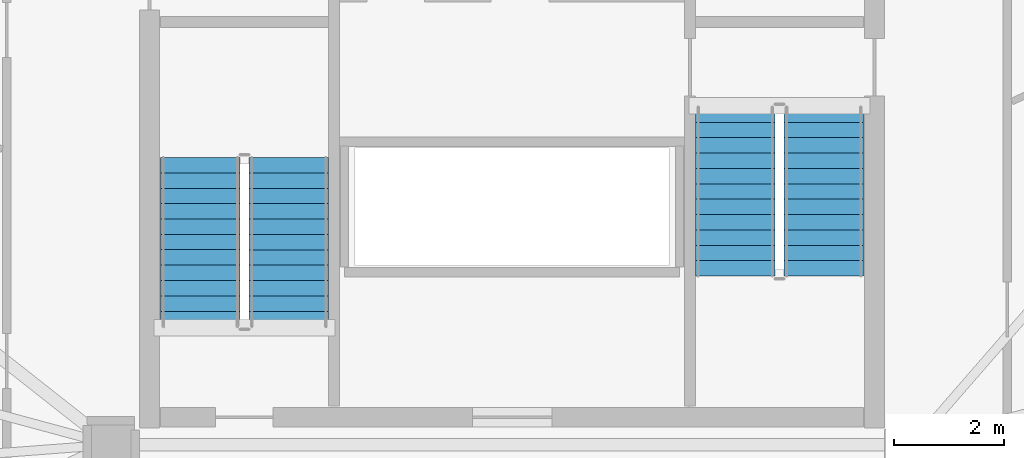
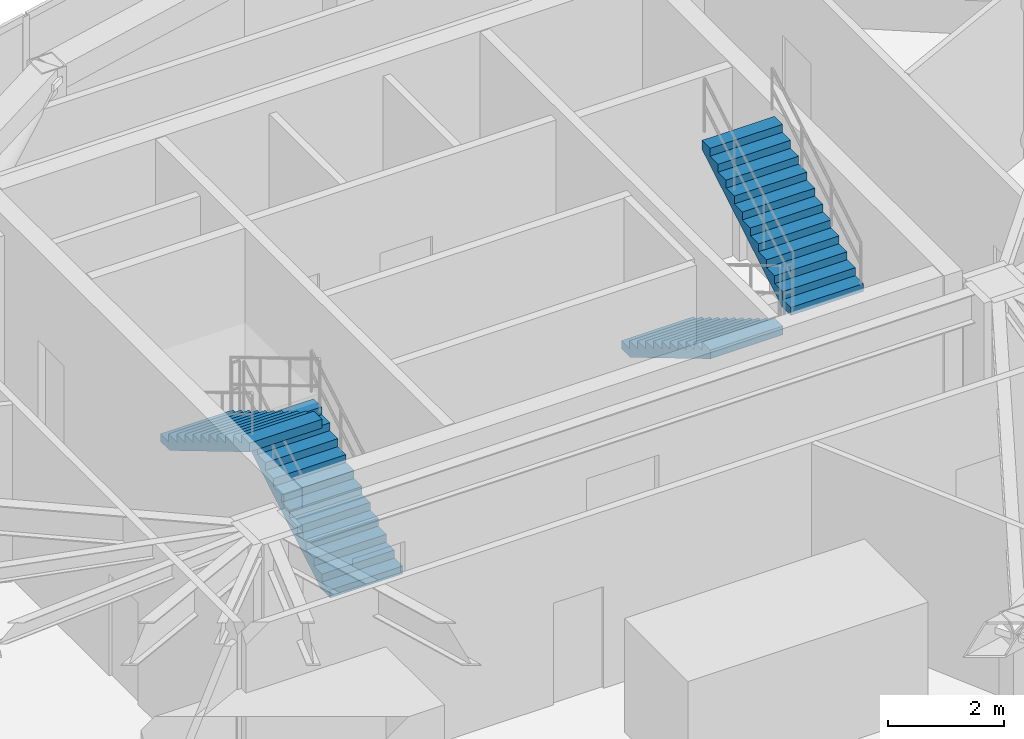
# One storey, part 19 of 21: 4 stair flights, 2 elements without a shape of their own.
"""IFC4 building model written with IfcOpenShell, lengths in metres."""

from ifc_helpers import new_model, si_unit, direction, frame, origin, place, context, subcontext, project, spatial, polyline, outline, extrude, material, layer, layer_set, type_object, element, aggregate, save


model = new_model("IFC4")

# Units and contexts
model_context = context("Model", 3, precision=1e-05, world=origin(), true_north=direction((0.0, 1.0)))
body_context = subcontext(model_context, "Body", "Model", "MODEL_VIEW")
ifc_project = project(units=[si_unit("LENGTHUNIT", "METRE"), si_unit("AREAUNIT", "SQUARE_METRE"), si_unit("VOLUMEUNIT", "CUBIC_METRE"), si_unit("PLANEANGLEUNIT", "RADIAN"), si_unit("MASSUNIT", "GRAM", prefix="KILO")], contexts=[model_context])

# Site, building, storey
site_placement = place(None, origin())
site = spatial("IfcSite", under=ifc_project, at=site_placement, CompositionType="ELEMENT")
building_placement = place(site_placement, origin())
building = spatial("IfcBuilding", under=site, at=building_placement, Name="Talar Marvaseh", CompositionType="ELEMENT")
storey_placement = place(building_placement, frame((0.0, 0.0, 308.0)))
storey = spatial("IfcBuildingStorey", under=building, at=storey_placement, Name="L82", CompositionType="ELEMENT", Elevation=308.0)

# Stair, stair flights
ifc_material = material(Name="Concrete C40/50", Category="concrete")
stair_type = type_object("IfcStairType", Name="Reinforced Concrete High-Rise Exit Stair Type C", PredefinedType="HALF_TURN_STAIR", material=ifc_material)
stair_1_placement = place(storey_placement, origin())
stair_1 = element("IfcStair", 1, at=stair_1_placement, inside=storey, type_object=stair_type, Name="L82 Tower West Core Exit Stair", PredefinedType="HALF_TURN_STAIR")
ifc_layer = layer(ifc_material, 0.159912109375)
ifc_layer_set = layer_set([ifc_layer], Name="Concrete C40/50")
stair_flight_type = type_object("IfcStairFlightType", Name="Reinforced Concrete Straight Stair Flight 160", PredefinedType="STRAIGHT", material=ifc_layer_set)
stair_flight_1_placement = place(storey_placement, frame((21.93505859375, 27.64990234375, 0.0), z_axis=(0.0, 0.0, 1.0), x_axis=(0.0, 1.0, 0.0)))
stair_flight_1 = element("IfcStairFlight", 2, at=stair_flight_1_placement, type_object=stair_flight_type, Name="ST-1 flight 1", NumberOfRisers=12, NumberOfTreads=11, PredefinedType="STRAIGHT", RiserHeight=0.166666667, TreadLength=0.28, context=body_context, shape_type="SweptSolid", body=[
    extrude(outline(polyline([(0.0, 0.0), (0.0, 0.166748046875), (0.280029296875, 0.166748046875), (0.280029296875, 0.333251953125), (0.56005859375, 0.333251953125), (0.56005859375, 0.5), (0.840087890625, 0.5), (0.840087890625, 0.666748046875), (1.1201171875, 0.666748046875), (1.1201171875, 0.833251953125), (1.39990234375, 0.833251953125), (1.39990234375, 1.0), (1.679931640625, 1.0), (1.679931640625, 1.166748046875), (1.9599609375, 1.166748046875), (1.9599609375, 1.333251953125), (2.239990234375, 1.333251953125), (2.239990234375, 1.5), (2.52001953125, 1.5), (2.52001953125, 1.666748046875), (2.800048828125, 1.666748046875), (2.800048828125, 1.833251953125), (3.080078125, 1.833251953125), (3.080078125, 2.0), (3.080078125, 1.647216796875), (0.312744140625, 0.0), (0.0, 0.0)])), frame((0.0, 0.72509765625, 0.0), z_axis=(0.0, -1.0, 0.0), x_axis=(1.0, 0.0, 0.0)), (0.0, 0.0, 1.0), 1.449951171875),
])
stair_flight_2_placement = place(storey_placement, frame((20.324951171875, 30.72998046875, 2.0), z_axis=(0.0, 0.0, 1.0), x_axis=(0.0, -1.0, 0.0)))
stair_flight_2 = element("IfcStairFlight", 3, at=stair_flight_2_placement, type_object=stair_flight_type, Name="ST-1 flight 2", NumberOfRisers=12, NumberOfTreads=11, PredefinedType="STRAIGHT", RiserHeight=0.166666667, TreadLength=0.28, context=body_context, shape_type="SweptSolid", body=[
    extrude(outline(polyline([(0.0, 0.0), (0.0, 0.166748046875), (0.280029296875, 0.166748046875), (0.280029296875, 0.333251953125), (0.56005859375, 0.333251953125), (0.56005859375, 0.5), (0.840087890625, 0.5), (0.840087890625, 0.666748046875), (1.1201171875, 0.666748046875), (1.1201171875, 0.833251953125), (1.39990234375, 0.833251953125), (1.39990234375, 1.0), (1.679931640625, 1.0), (1.679931640625, 1.166748046875), (1.9599609375, 1.166748046875), (1.9599609375, 1.333251953125), (2.239990234375, 1.333251953125), (2.239990234375, 1.5), (2.52001953125, 1.5), (2.52001953125, 1.666748046875), (2.800048828125, 1.666748046875), (2.800048828125, 1.833251953125), (3.080078125, 1.833251953125), (3.080078125, 2.0), (3.080078125, 1.647216796875), (0.312744140625, 0.0), (0.0, 0.0)])), frame((0.0, 0.72509765625, 0.0), z_axis=(0.0, -1.0, 0.0), x_axis=(1.0, 0.0, 0.0)), (0.0, 0.0, 1.0), 1.449951171875),
])
aggregate(stair_1, [stair_flight_1, stair_flight_2])

stair_2_placement = place(storey_placement, origin())
stair_2 = element("IfcStair", 4, at=stair_2_placement, inside=storey, type_object=stair_type, Name="L82 Tower East Core Exit Stair", PredefinedType="HALF_TURN_STAIR")
stair_flight_3_placement = place(storey_placement, frame((30.06494140625, 31.64990234375, 0.0), z_axis=(0.0, 0.0, 1.0), x_axis=(0.0, -1.0, 0.0)))
stair_flight_3 = element("IfcStairFlight", 5, at=stair_flight_3_placement, type_object=stair_flight_type, Name="ST-2 flight 1", NumberOfRisers=12, NumberOfTreads=11, PredefinedType="STRAIGHT", RiserHeight=0.166666667, TreadLength=0.28, context=body_context, shape_type="SweptSolid", body=[
    extrude(outline(polyline([(0.0, 0.0), (0.0, 0.166748046875), (0.280029296875, 0.166748046875), (0.280029296875, 0.333251953125), (0.56005859375, 0.333251953125), (0.56005859375, 0.5), (0.840087890625, 0.5), (0.840087890625, 0.666748046875), (1.1201171875, 0.666748046875), (1.1201171875, 0.833251953125), (1.39990234375, 0.833251953125), (1.39990234375, 1.0), (1.679931640625, 1.0), (1.679931640625, 1.166748046875), (1.9599609375, 1.166748046875), (1.9599609375, 1.333251953125), (2.239990234375, 1.333251953125), (2.239990234375, 1.5), (2.52001953125, 1.5), (2.52001953125, 1.666748046875), (2.800048828125, 1.666748046875), (2.800048828125, 1.833251953125), (3.080078125, 1.833251953125), (3.080078125, 2.0), (3.080078125, 1.647216796875), (0.312744140625, 0.0), (0.0, 0.0)])), frame((0.0, 0.72509765625, 0.0), z_axis=(0.0, -1.0, 0.0), x_axis=(1.0, 0.0, 0.0)), (0.0, 0.0, 1.0), 1.449951171875),
])
stair_flight_4_placement = place(storey_placement, frame((31.675048828125, 28.570068359375, 2.0), z_axis=(0.0, 0.0, 1.0), x_axis=(0.0, 1.0, 0.0)))
stair_flight_4 = element("IfcStairFlight", 6, at=stair_flight_4_placement, type_object=stair_flight_type, Name="ST-2 flight 2", NumberOfRisers=12, NumberOfTreads=11, PredefinedType="STRAIGHT", RiserHeight=0.166666667, TreadLength=0.28, context=body_context, shape_type="SweptSolid", body=[
    extrude(outline(polyline([(0.0, 0.0), (0.0, 0.166748046875), (0.280029296875, 0.166748046875), (0.280029296875, 0.333251953125), (0.56005859375, 0.333251953125), (0.56005859375, 0.5), (0.840087890625, 0.5), (0.840087890625, 0.666748046875), (1.1201171875, 0.666748046875), (1.1201171875, 0.833251953125), (1.39990234375, 0.833251953125), (1.39990234375, 1.0), (1.679931640625, 1.0), (1.679931640625, 1.166748046875), (1.9599609375, 1.166748046875), (1.9599609375, 1.333251953125), (2.239990234375, 1.333251953125), (2.239990234375, 1.5), (2.52001953125, 1.5), (2.52001953125, 1.666748046875), (2.800048828125, 1.666748046875), (2.800048828125, 1.833251953125), (3.080078125, 1.833251953125), (3.080078125, 2.0), (3.080078125, 1.647216796875), (0.312744140625, 0.0), (0.0, 0.0)])), frame((0.0, 0.72509765625, 0.0), z_axis=(0.0, -1.0, 0.0), x_axis=(1.0, 0.0, 0.0)), (0.0, 0.0, 1.0), 1.449951171875),
])
aggregate(stair_2, [stair_flight_3, stair_flight_4])

save(model, "model.ifc")
